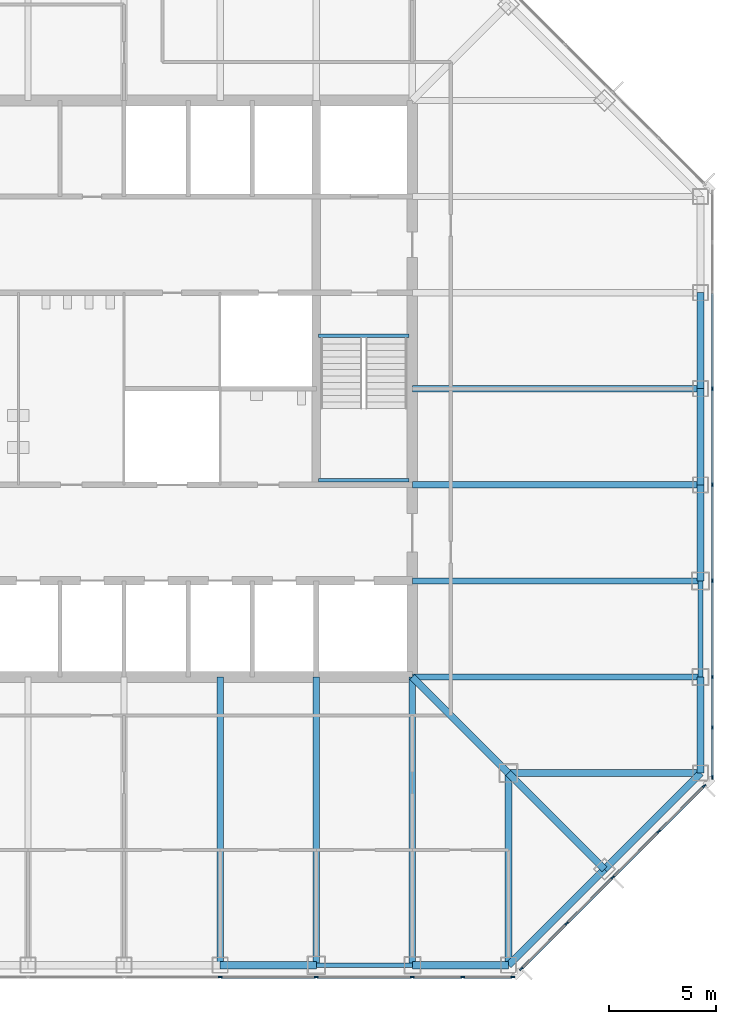
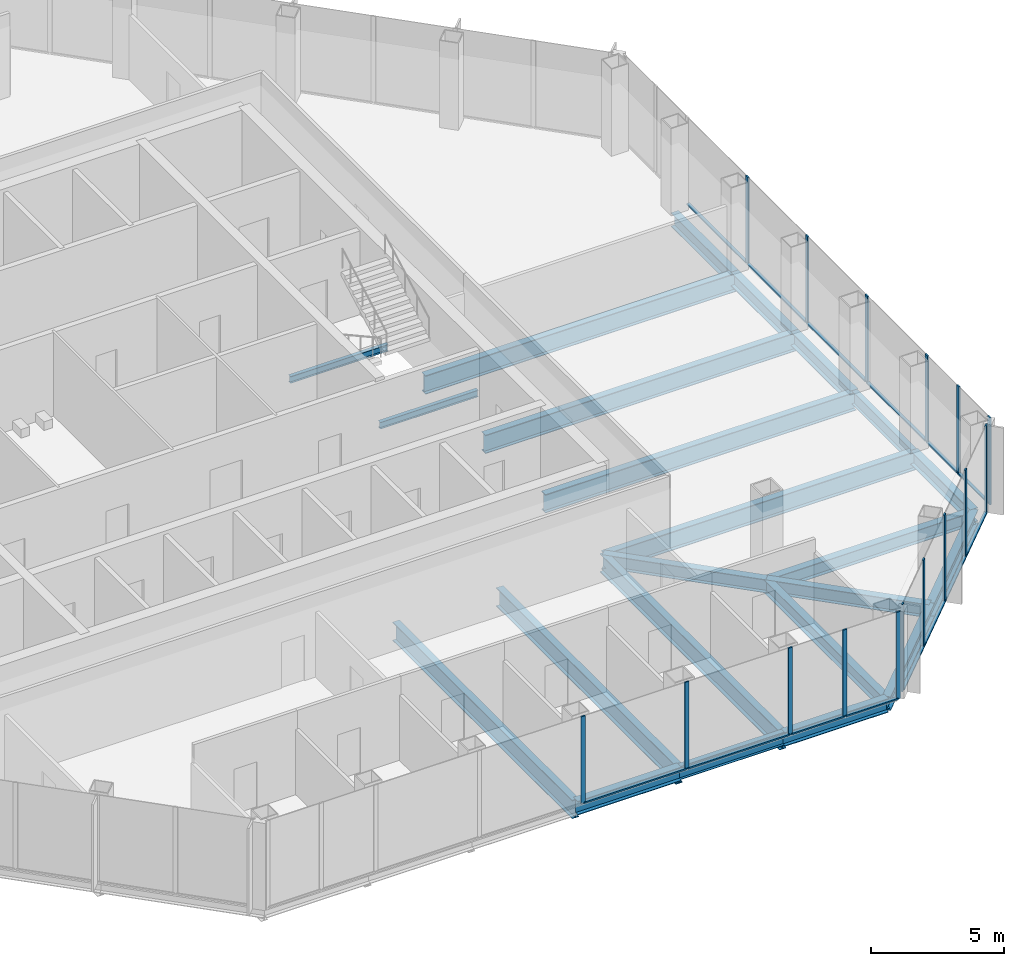
# One storey, part 4 of 12: 30 members, 23 beams, 3 elements without a shape of their own.
"""IFC4 building model written with IfcOpenShell, lengths in metres."""

from ifc_helpers import new_model, si_unit, direction, frame, origin, origin_2d, place, context, subcontext, project, spatial, rectangle, i_section, extrude, material, material_profile, profile_set, type_object, element, aggregate, save


model = new_model("IFC4")

# Units and contexts
model_context = context("Model", 3, precision=1e-05, world=origin(), true_north=direction((0.0, 1.0)))
body_context = subcontext(model_context, "Body", "Model", "MODEL_VIEW")
ifc_project = project(units=[si_unit("LENGTHUNIT", "METRE"), si_unit("AREAUNIT", "SQUARE_METRE"), si_unit("VOLUMEUNIT", "CUBIC_METRE"), si_unit("PLANEANGLEUNIT", "RADIAN"), si_unit("MASSUNIT", "GRAM", prefix="KILO")], contexts=[model_context])

# Site, building, storey
site_placement = place(None, origin())
site = spatial("IfcSite", under=ifc_project, at=site_placement, CompositionType="ELEMENT")
building_placement = place(site_placement, origin())
building = spatial("IfcBuilding", under=site, at=building_placement, Name="Corais Broadcast Tower", CompositionType="ELEMENT")
storey_placement = place(building_placement, frame((0.0, 0.0, 147.60009765625)))
storey = spatial("IfcBuildingStorey", under=building, at=storey_placement, Name="L33", CompositionType="ELEMENT", Elevation=147.60009765625)

# Beams
ifc_material_1 = material(Name="Steel ASTM A572 Grade 50", Category="steel")
ifc_material_profile_1 = material_profile(ifc_material_1, i_section(OverallWidth=0.323974609375, OverallDepth=0.611083984375, WebThickness=0.0126953125, FlangeThickness=0.01904296875, at=origin_2d()), Name="W610x155")
ifc_profile_set_1 = profile_set([ifc_material_profile_1], Name="Steel ASTM A572 Grade 50")
beam_type_1 = type_object("IfcBeamType", Name="Chamfer tie W610x155", PredefinedType="BEAM", material=ifc_profile_set_1)
beam_1_placement = place(storey_placement, frame((49.5, 4.5, -0.465576171875), z_axis=(-0.707106781187, 0.707106781187, 0.0), x_axis=(-0.707106781187, -0.707106781187, 0.0)))
element("IfcBeam", 1, at=beam_1_placement, inside=storey, type_object=beam_type_1, Name="B5 B/14 to C/13", PredefinedType="BEAM", context=body_context, shape_type="SweptSolid", body=[
    extrude(i_section(OverallWidth=0.323974609375, OverallDepth=0.611083984375, WebThickness=0.0126953125, FlangeThickness=0.01904296875, at=origin_2d()), origin(), (0.0, 0.0, 1.0), 6.364013671875),
])
ifc_material_2 = material(Name="Steel ASTM A572 Grade 50", Category="steel")
ifc_material_profile_2 = material_profile(ifc_material_2, i_section(OverallWidth=0.323974609375, OverallDepth=0.611083984375, WebThickness=0.0126953125, FlangeThickness=0.01904296875, at=origin_2d()), Name="W610x155")
ifc_profile_set_2 = profile_set([ifc_material_profile_2], Name="Steel ASTM A572 Grade 50")
beam_type_2 = type_object("IfcBeamType", Name="Corner diagonal W610x155", PredefinedType="BEAM", material=ifc_profile_set_2)
beam_2_placement = place(storey_placement, frame((45.0, 9.0, -0.465576171875), z_axis=(-0.707106781187, 0.707106781187, 0.0), x_axis=(-0.707106781187, -0.707106781187, 0.0)))
element("IfcBeam", 2, at=beam_2_placement, inside=storey, type_object=beam_type_2, Name="B6 C/13 to D/12", PredefinedType="BEAM", context=body_context, shape_type="SweptSolid", body=[
    extrude(i_section(OverallWidth=0.323974609375, OverallDepth=0.611083984375, WebThickness=0.0126953125, FlangeThickness=0.01904296875, at=origin_2d()), origin(), (0.0, 0.0, 1.0), 6.364013671875),
])
ifc_material_3 = material(Name="Steel ASTM A572 Grade 50", Category="steel")
ifc_material_profile_3 = material_profile(ifc_material_3, i_section(OverallWidth=0.323974609375, OverallDepth=0.611083984375, WebThickness=0.0126953125, FlangeThickness=0.01904296875, at=origin_2d()), Name="W610x155")
ifc_profile_set_3 = profile_set([ifc_material_profile_3], Name="Steel ASTM A572 Grade 50")
beam_type_3 = type_object("IfcBeamType", Name="Corner girder W610x155", PredefinedType="BEAM", material=ifc_profile_set_3)
for number, where, z_axis, x_axis, name in (
    (3, (45.0, 0.0, -0.465576171875), (0.0, 1.0, 0.0), (-1.0, 0.0, 0.0), "B4 A/13 to C/13"),
    (4, (54.0, 9.0, -0.465576171875), (-1.0, 0.0, 0.0), (0.0, -1.0, 0.0), "B4 C/15 to C/13"),
):
    element("IfcBeam", number, at=place(storey_placement, frame(where, z_axis=z_axis, x_axis=x_axis)), inside=storey, type_object=beam_type_3, Name=name, PredefinedType="BEAM", context=body_context, shape_type="SweptSolid", body=[
        extrude(i_section(OverallWidth=0.323974609375, OverallDepth=0.611083984375, WebThickness=0.0126953125, FlangeThickness=0.01904296875, at=origin_2d()), origin(), (0.0, 0.0, 1.0), 9.0),
    ])
ifc_material_4 = material(Name="Steel ASTM A572 Grade 50", Category="steel")
ifc_material_profile_4 = material_profile(ifc_material_4, i_section(OverallWidth=0.2939453125, OverallDepth=0.85107421875, WebThickness=0.01611328125, FlangeThickness=0.02685546875, at=origin_2d()), Name="W840x226")
ifc_profile_set_4 = profile_set([ifc_material_profile_4], Name="Steel ASTM A572 Grade 50")
beam_type_4 = type_object("IfcBeamType", Name="Floor beam W840x226", PredefinedType="BEAM", material=ifc_profile_set_4)
for number, where, z_axis, x_axis, name in (
    (5, (31.5, 0.0, -0.585693359375), (0.0, 1.0, 0.0), (-1.0, 0.0, 0.0), "B1 A/10 to D/10"),
    (6, (36.0, 0.0, -0.585693359375), (0.0, 1.0, 0.0), (-1.0, 0.0, 0.0), "B1 A/11 to D/11"),
    (7, (40.5, 0.0, -0.585693359375), (0.0, 1.0, 0.0), (-1.0, 0.0, 0.0), "B1 A/12 to D/12"),
    (8, (54.0, 13.5, -0.585693359375), (-1.0, 0.0, 0.0), (0.0, -1.0, 0.0), "B1 D/15 to D/12"),
    (9, (54.0, 18.0, -0.585693359375), (-1.0, 0.0, 0.0), (0.0, -1.0, 0.0), "B1 E/15 to E/12"),
    (10, (54.0, 22.5, -0.585693359375), (-1.0, 0.0, 0.0), (0.0, -1.0, 0.0), "B1 F/15 to F/12"),
    (11, (54.0, 27.0, -0.585693359375), (-1.0, 0.0, 0.0), (0.0, -1.0, 0.0), "B1 G/15 to G/12"),
):
    element("IfcBeam", number, at=place(storey_placement, frame(where, z_axis=z_axis, x_axis=x_axis)), inside=storey, type_object=beam_type_4, Name=name, PredefinedType="BEAM", context=body_context, shape_type="SweptSolid", body=[
        extrude(i_section(OverallWidth=0.2939453125, OverallDepth=0.85107421875, WebThickness=0.01611328125, FlangeThickness=0.02685546875, at=origin_2d()), origin(), (0.0, 0.0, 1.0), 13.5),
    ])
ifc_material_5 = material(Name="Steel ASTM A572 Grade 50", Category="steel")
ifc_material_profile_5 = material_profile(ifc_material_5, i_section(OverallWidth=0.1650390625, OverallDepth=0.31005859375, WebThickness=0.005859375, FlangeThickness=0.009765625, at=origin_2d()), Name="W310x38.7")
ifc_profile_set_5 = profile_set([ifc_material_profile_5], Name="Steel ASTM A572 Grade 50")
beam_type_5 = type_object("IfcBeamType", Name="Landing trimmer W310x38.7", PredefinedType="BEAM", material=ifc_profile_set_5)
for number, where, z_axis, x_axis, name in (
    (12, (36.10009765625, 29.47509765625, -0.35498046875), (1.0, 0.0, 0.0), (0.0, 1.0, 0.0), "LT1 stair B landing trimmer L33"),
    (13, (36.10009765625, 22.715087890625, 1.64501953125), (1.0, 0.0, 0.0), (0.0, 1.0, 0.0), "LT1 stair B half landing trimmer L33"),
):
    element("IfcBeam", number, at=place(storey_placement, frame(where, z_axis=z_axis, x_axis=x_axis)), inside=storey, type_object=beam_type_5, Name=name, PredefinedType="BEAM", context=body_context, shape_type="SweptSolid", body=[
        extrude(i_section(OverallWidth=0.1650390625, OverallDepth=0.31005859375, WebThickness=0.005859375, FlangeThickness=0.009765625, at=origin_2d()), origin(), (0.0, 0.0, 1.0), 4.25),
    ])

# Curtain wall, members
ifc_material_6 = material(Name="Aluminium and glass", Category="aluminium")
curtain_wall_type = type_object("IfcCurtainWallType", Name="Unitised fritted curtain wall CW2", PredefinedType="NOTDEFINED", material=ifc_material_6)
curtain_wall_1_placement = place(storey_placement, origin())
curtain_wall_1 = element("IfcCurtainWall", 14, at=curtain_wall_1_placement, inside=storey, type_object=curtain_wall_type, Name="CW2 curtain wall L33 6", PredefinedType="NOTDEFINED")
ifc_material_7 = material(Name="Aluminium 6063-T6", Category="aluminium")
ifc_material_profile_6 = material_profile(ifc_material_7, rectangle(XDim=0.06494140625, YDim=0.179931640625, at=origin_2d()), Name="Mullion CW2 65x180")
ifc_profile_set_6 = profile_set([ifc_material_profile_6], Name="Aluminium 6063-T6")
member_type_1 = type_object("IfcMemberType", Name="Mullion CW2 65x180", PredefinedType="MULLION", material=ifc_profile_set_6)
member_1_placement = place(storey_placement, frame((54.550048828125, 27.0, 0.0), z_axis=(0.0, 0.0, 1.0), x_axis=(1.0, 0.0, 0.0)))
member_1 = element("IfcMember", 15, at=member_1_placement, type_object=member_type_1, Name="CW2 mullion 4", PredefinedType="MULLION", context=body_context, shape_type="SweptSolid", body=[
    extrude(rectangle(XDim=0.06494140625, YDim=0.179931640625, at=origin_2d()), origin(), (0.0, 0.0, 1.0), 4.0),
])
member_2_placement = place(storey_placement, frame((54.550048828125, 22.5, 0.0), z_axis=(0.0, 0.0, 1.0), x_axis=(1.0, 0.0, 0.0)))
member_2 = element("IfcMember", 16, at=member_2_placement, type_object=member_type_1, Name="CW2 mullion 5", PredefinedType="MULLION", context=body_context, shape_type="SweptSolid", body=[
    extrude(rectangle(XDim=0.06494140625, YDim=0.179931640625, at=origin_2d()), origin(), (0.0, 0.0, 1.0), 4.0),
])
member_3_placement = place(storey_placement, frame((54.550048828125, 18.0, 0.0), z_axis=(0.0, 0.0, 1.0), x_axis=(1.0, 0.0, 0.0)))
member_3 = element("IfcMember", 17, at=member_3_placement, type_object=member_type_1, Name="CW2 mullion 6", PredefinedType="MULLION", context=body_context, shape_type="SweptSolid", body=[
    extrude(rectangle(XDim=0.06494140625, YDim=0.179931640625, at=origin_2d()), origin(), (0.0, 0.0, 1.0), 4.0),
])
member_4_placement = place(storey_placement, frame((54.550048828125, 13.5, 0.0), z_axis=(0.0, 0.0, 1.0), x_axis=(1.0, 0.0, 0.0)))
member_4 = element("IfcMember", 18, at=member_4_placement, type_object=member_type_1, Name="CW2 mullion 7", PredefinedType="MULLION", context=body_context, shape_type="SweptSolid", body=[
    extrude(rectangle(XDim=0.06494140625, YDim=0.179931640625, at=origin_2d()), origin(), (0.0, 0.0, 1.0), 4.0),
])
member_5_placement = place(storey_placement, frame((54.550048828125, 11.135986328125, 0.0), z_axis=(0.0, 0.0, 1.0), x_axis=(1.0, 0.0, 0.0)))
member_5 = element("IfcMember", 19, at=member_5_placement, type_object=member_type_1, Name="CW2 mullion 8", PredefinedType="MULLION", context=body_context, shape_type="SweptSolid", body=[
    extrude(rectangle(XDim=0.06494140625, YDim=0.179931640625, at=origin_2d()), origin(), (0.0, 0.0, 1.0), 4.0),
])
member_6_placement = place(storey_placement, frame((54.550048828125, 8.8046875, 0.0), z_axis=(0.0, 0.0, 1.0), x_axis=(1.0, 0.0, 0.0)))
member_6 = element("IfcMember", 20, at=member_6_placement, type_object=member_type_1, Name="CW2 mullion 9", PredefinedType="MULLION", context=body_context, shape_type="SweptSolid", body=[
    extrude(rectangle(XDim=0.06494140625, YDim=0.179931640625, at=origin_2d()), origin(), (0.0, 0.0, 1.0), 4.0),
])

curtain_wall_2_placement = place(storey_placement, origin())
curtain_wall_2 = element("IfcCurtainWall", 21, at=curtain_wall_2_placement, inside=storey, type_object=curtain_wall_type, Name="CW2 curtain wall L33 7", PredefinedType="NOTDEFINED")
member_7_placement = place(storey_placement, frame((54.17333984375, 8.3955078125, 0.0), z_axis=(0.0, 0.0, 1.0), x_axis=(0.707106781187, -0.707106781187, 0.0)))
member_7 = element("IfcMember", 22, at=member_7_placement, type_object=member_type_1, Name="CW2 mullion 1", PredefinedType="MULLION", context=body_context, shape_type="SweptSolid", body=[
    extrude(rectangle(XDim=0.06494140625, YDim=0.179931640625, at=origin_2d()), origin(), (0.0, 0.0, 1.0), 4.0),
])
member_8_placement = place(storey_placement, frame((52.042724609375, 6.264892578125, 0.0), z_axis=(0.0, 0.0, 1.0), x_axis=(0.707106781187, -0.707106781187, 0.0)))
member_8 = element("IfcMember", 23, at=member_8_placement, type_object=member_type_1, Name="CW2 mullion 2", PredefinedType="MULLION", context=body_context, shape_type="SweptSolid", body=[
    extrude(rectangle(XDim=0.06494140625, YDim=0.179931640625, at=origin_2d()), origin(), (0.0, 0.0, 1.0), 4.0),
])
member_9_placement = place(storey_placement, frame((49.888916015625, 4.111083984375, 0.0), z_axis=(0.0, 0.0, 1.0), x_axis=(0.707106781187, -0.707106781187, 0.0)))
member_9 = element("IfcMember", 24, at=member_9_placement, type_object=member_type_1, Name="CW2 mullion 3", PredefinedType="MULLION", context=body_context, shape_type="SweptSolid", body=[
    extrude(rectangle(XDim=0.06494140625, YDim=0.179931640625, at=origin_2d()), origin(), (0.0, 0.0, 1.0), 4.0),
])
member_10_placement = place(storey_placement, frame((47.735107421875, 1.957275390625, 0.0), z_axis=(0.0, 0.0, 1.0), x_axis=(0.707106781187, -0.707106781187, 0.0)))
member_10 = element("IfcMember", 25, at=member_10_placement, type_object=member_type_1, Name="CW2 mullion 4", PredefinedType="MULLION", context=body_context, shape_type="SweptSolid", body=[
    extrude(rectangle(XDim=0.06494140625, YDim=0.179931640625, at=origin_2d()), origin(), (0.0, 0.0, 1.0), 4.0),
])
member_11_placement = place(storey_placement, frame((45.6044921875, -0.17333984375, 0.0), z_axis=(0.0, 0.0, 1.0), x_axis=(0.707106781187, -0.707106781187, 0.0)))
member_11 = element("IfcMember", 26, at=member_11_placement, type_object=member_type_1, Name="CW2 mullion 5", PredefinedType="MULLION", context=body_context, shape_type="SweptSolid", body=[
    extrude(rectangle(XDim=0.06494140625, YDim=0.179931640625, at=origin_2d()), origin(), (0.0, 0.0, 1.0), 4.0),
])

curtain_wall_3_placement = place(storey_placement, origin())
curtain_wall_3 = element("IfcCurtainWall", 27, at=curtain_wall_3_placement, inside=storey, type_object=curtain_wall_type, Name="CW2 curtain wall L33 8", PredefinedType="NOTDEFINED")
member_12_placement = place(storey_placement, frame((45.1953125, -0.550048828125, 0.0), z_axis=(0.0, 0.0, 1.0), x_axis=(0.0, -1.0, 0.0)))
member_12 = element("IfcMember", 28, at=member_12_placement, type_object=member_type_1, Name="CW2 mullion 1", PredefinedType="MULLION", context=body_context, shape_type="SweptSolid", body=[
    extrude(rectangle(XDim=0.06494140625, YDim=0.179931640625, at=origin_2d()), origin(), (0.0, 0.0, 1.0), 4.0),
])
member_13_placement = place(storey_placement, frame((42.864013671875, -0.550048828125, 0.0), z_axis=(0.0, 0.0, 1.0), x_axis=(0.0, -1.0, 0.0)))
member_13 = element("IfcMember", 29, at=member_13_placement, type_object=member_type_1, Name="CW2 mullion 2", PredefinedType="MULLION", context=body_context, shape_type="SweptSolid", body=[
    extrude(rectangle(XDim=0.06494140625, YDim=0.179931640625, at=origin_2d()), origin(), (0.0, 0.0, 1.0), 4.0),
])
member_14_placement = place(storey_placement, frame((40.5, -0.550048828125, 0.0), z_axis=(0.0, 0.0, 1.0), x_axis=(0.0, -1.0, 0.0)))
member_14 = element("IfcMember", 30, at=member_14_placement, type_object=member_type_1, Name="CW2 mullion 3", PredefinedType="MULLION", context=body_context, shape_type="SweptSolid", body=[
    extrude(rectangle(XDim=0.06494140625, YDim=0.179931640625, at=origin_2d()), origin(), (0.0, 0.0, 1.0), 4.0),
])
member_15_placement = place(storey_placement, frame((36.0, -0.550048828125, 0.0), z_axis=(0.0, 0.0, 1.0), x_axis=(0.0, -1.0, 0.0)))
member_15 = element("IfcMember", 31, at=member_15_placement, type_object=member_type_1, Name="CW2 mullion 4", PredefinedType="MULLION", context=body_context, shape_type="SweptSolid", body=[
    extrude(rectangle(XDim=0.06494140625, YDim=0.179931640625, at=origin_2d()), origin(), (0.0, 0.0, 1.0), 4.0),
])
member_16_placement = place(storey_placement, frame((31.5, -0.550048828125, 0.0), z_axis=(0.0, 0.0, 1.0), x_axis=(0.0, -1.0, 0.0)))
member_16 = element("IfcMember", 32, at=member_16_placement, type_object=member_type_1, Name="CW2 mullion 5", PredefinedType="MULLION", context=body_context, shape_type="SweptSolid", body=[
    extrude(rectangle(XDim=0.06494140625, YDim=0.179931640625, at=origin_2d()), origin(), (0.0, 0.0, 1.0), 4.0),
])

# Beams
ifc_material_8 = material(Name="Steel ASTM A572 Grade 50", Category="steel")
ifc_material_profile_7 = material_profile(ifc_material_8, i_section(OverallWidth=0.22900390625, OverallDepth=0.612060546875, WebThickness=0.011962890625, FlangeThickness=0.01953125, at=origin_2d()), Name="W610x125")
ifc_profile_set_7 = profile_set([ifc_material_profile_7], Name="Steel ASTM A572 Grade 50")
beam_type_6 = type_object("IfcBeamType", Name="Pinned spandrel W610x125", PredefinedType="BEAM", material=ifc_profile_set_7)
for number, where, z_axis, x_axis, name in (
    (33, (36.0, 0.0, -0.466064453125), (1.0, 0.0, 0.0), (0.0, 1.0, 0.0), "SB7 A/11 to A/12"),
    (34, (54.0, 13.5, -0.466064453125), (0.0, 1.0, 0.0), (-1.0, 0.0, 0.0), "SB7 D/15 to E/15"),
):
    element("IfcBeam", number, at=place(storey_placement, frame(where, z_axis=z_axis, x_axis=x_axis)), inside=storey, type_object=beam_type_6, Name=name, PredefinedType="BEAM", context=body_context, shape_type="SweptSolid", body=[
        extrude(i_section(OverallWidth=0.22900390625, OverallDepth=0.612060546875, WebThickness=0.011962890625, FlangeThickness=0.01953125, at=origin_2d()), origin(), (0.0, 0.0, 1.0), 4.5),
    ])
ifc_material_9 = material(Name="Steel ASTM A572 Grade 50", Category="steel")
ifc_material_profile_8 = material_profile(ifc_material_9, i_section(OverallWidth=0.3291015625, OverallDepth=0.635009765625, WebThickness=0.017822265625, FlangeThickness=0.031005859375, at=origin_2d()), Name="W610x241")
ifc_profile_set_8 = profile_set([ifc_material_profile_8], Name="Steel ASTM A572 Grade 50")
beam_type_7 = type_object("IfcBeamType", Name="Spandrel W610x241", PredefinedType="BEAM", material=ifc_profile_set_8)
for number, where, z_axis, x_axis, name in (
    (35, (31.5, 0.0, -0.4775390625), (1.0, 0.0, 0.0), (0.0, 1.0, 0.0), "SB1 A/10 to A/11"),
    (36, (40.5, 0.0, -0.4775390625), (1.0, 0.0, 0.0), (0.0, 1.0, 0.0), "SB1 A/12 to A/13"),
):
    element("IfcBeam", number, at=place(storey_placement, frame(where, z_axis=z_axis, x_axis=x_axis)), inside=storey, type_object=beam_type_7, Name=name, PredefinedType="BEAM", context=body_context, shape_type="SweptSolid", body=[
        extrude(i_section(OverallWidth=0.3291015625, OverallDepth=0.635009765625, WebThickness=0.017822265625, FlangeThickness=0.031005859375, at=origin_2d()), origin(), (0.0, 0.0, 1.0), 4.5),
    ])
for number, where, z_axis, x_axis, name in (
    (37, (45.0, 0.0, -0.4775390625), (0.707106781187, 0.707106781187, 0.0), (-0.707106781187, 0.707106781187, 0.0), "SB1 A/13 to B/14"),
    (38, (49.5, 4.5, -0.4775390625), (0.707106781187, 0.707106781187, 0.0), (-0.707106781187, 0.707106781187, 0.0), "SB1 B/14 to C/15"),
):
    element("IfcBeam", number, at=place(storey_placement, frame(where, z_axis=z_axis, x_axis=x_axis)), inside=storey, type_object=beam_type_7, Name=name, PredefinedType="BEAM", context=body_context, shape_type="SweptSolid", body=[
        extrude(i_section(OverallWidth=0.3291015625, OverallDepth=0.635009765625, WebThickness=0.017822265625, FlangeThickness=0.031005859375, at=origin_2d()), origin(), (0.0, 0.0, 1.0), 6.364013671875),
    ])
for number, where, z_axis, x_axis, name in (
    (39, (54.0, 18.0, -0.4775390625), (0.0, 1.0, 0.0), (-1.0, 0.0, 0.0), "SB1 E/15 to F/15"),
    (40, (54.0, 22.5, -0.4775390625), (0.0, 1.0, 0.0), (-1.0, 0.0, 0.0), "SB1 F/15 to G/15"),
    (41, (54.0, 27.0, -0.4775390625), (0.0, 1.0, 0.0), (-1.0, 0.0, 0.0), "SB1 G/15 to H/15"),
    (42, (54.0, 9.0, -0.4775390625), (0.0, 1.0, 0.0), (-1.0, 0.0, 0.0), "SB1 C/15 to D/15"),
):
    element("IfcBeam", number, at=place(storey_placement, frame(where, z_axis=z_axis, x_axis=x_axis)), inside=storey, type_object=beam_type_7, Name=name, PredefinedType="BEAM", context=body_context, shape_type="SweptSolid", body=[
        extrude(i_section(OverallWidth=0.3291015625, OverallDepth=0.635009765625, WebThickness=0.017822265625, FlangeThickness=0.031005859375, at=origin_2d()), origin(), (0.0, 0.0, 1.0), 4.5),
    ])

# Member
ifc_material_10 = material(Name="Aluminium 6063-T6", Category="aluminium")
ifc_material_profile_9 = material_profile(ifc_material_10, rectangle(XDim=0.1298828125, YDim=0.06494140625, at=origin_2d()), Name="Transom CW2 65x130")
ifc_profile_set_9 = profile_set([ifc_material_profile_9], Name="Aluminium 6063-T6")
member_type_2 = type_object("IfcMemberType", Name="Transom CW2 65x130", PredefinedType="USERDEFINED", material=ifc_profile_set_9)
member_17_placement = place(storey_placement, frame((54.550048828125, 31.467529296875, 0.032470703125), z_axis=(0.0, -1.0, 0.0), x_axis=(1.0, 0.0, 0.0)))
member_17 = element("IfcMember", 43, at=member_17_placement, type_object=member_type_2, Name="CW2 transom 3.1", ObjectType="TRANSOM", PredefinedType="USERDEFINED", context=body_context, shape_type="SweptSolid", body=[
    extrude(rectangle(XDim=0.1298828125, YDim=0.06494140625, at=origin_2d()), origin(), (0.0, 0.0, 1.0), 4.43505859375),
])

member_18_placement = place(storey_placement, frame((54.550048828125, 26.967529296875, 0.032470703125), z_axis=(0.0, -1.0, 0.0), x_axis=(1.0, 0.0, 0.0)))
member_18 = element("IfcMember", 44, at=member_18_placement, type_object=member_type_2, Name="CW2 transom 4.1", ObjectType="TRANSOM", PredefinedType="USERDEFINED", context=body_context, shape_type="SweptSolid", body=[
    extrude(rectangle(XDim=0.1298828125, YDim=0.06494140625, at=origin_2d()), origin(), (0.0, 0.0, 1.0), 4.43505859375),
])

member_19_placement = place(storey_placement, frame((54.550048828125, 22.467529296875, 0.032470703125), z_axis=(0.0, -1.0, 0.0), x_axis=(1.0, 0.0, 0.0)))
member_19 = element("IfcMember", 45, at=member_19_placement, type_object=member_type_2, Name="CW2 transom 5.1", ObjectType="TRANSOM", PredefinedType="USERDEFINED", context=body_context, shape_type="SweptSolid", body=[
    extrude(rectangle(XDim=0.1298828125, YDim=0.06494140625, at=origin_2d()), origin(), (0.0, 0.0, 1.0), 4.43505859375),
])

member_20_placement = place(storey_placement, frame((54.550048828125, 17.967529296875, 0.032470703125), z_axis=(0.0, -1.0, 0.0), x_axis=(1.0, 0.0, 0.0)))
member_20 = element("IfcMember", 46, at=member_20_placement, type_object=member_type_2, Name="CW2 transom 6.1", ObjectType="TRANSOM", PredefinedType="USERDEFINED", context=body_context, shape_type="SweptSolid", body=[
    extrude(rectangle(XDim=0.1298828125, YDim=0.06494140625, at=origin_2d()), origin(), (0.0, 0.0, 1.0), 4.43505859375),
])

member_21_placement = place(storey_placement, frame((54.550048828125, 13.467529296875, 0.032470703125), z_axis=(0.0, -1.0, 0.0), x_axis=(1.0, 0.0, 0.0)))
member_21 = element("IfcMember", 47, at=member_21_placement, type_object=member_type_2, Name="CW2 transom 7.1", ObjectType="TRANSOM", PredefinedType="USERDEFINED", context=body_context, shape_type="SweptSolid", body=[
    extrude(rectangle(XDim=0.1298828125, YDim=0.06494140625, at=origin_2d()), origin(), (0.0, 0.0, 1.0), 2.298828125),
])

member_22_placement = place(storey_placement, frame((54.550048828125, 11.103515625, 0.032470703125), z_axis=(0.0, -1.0, 0.0), x_axis=(1.0, 0.0, 0.0)))
member_22 = element("IfcMember", 48, at=member_22_placement, type_object=member_type_2, Name="CW2 transom 8.1", ObjectType="TRANSOM", PredefinedType="USERDEFINED", context=body_context, shape_type="SweptSolid", body=[
    extrude(rectangle(XDim=0.1298828125, YDim=0.06494140625, at=origin_2d()), origin(), (0.0, 0.0, 1.0), 2.266357421875),
])

aggregate(curtain_wall_1, [member_1, member_2, member_3, member_4, member_5, member_6, member_17, member_18, member_19, member_20, member_21, member_22])

member_23_placement = place(storey_placement, frame((54.150390625, 8.37255859375, 0.032470703125), z_axis=(-0.707106781187, -0.707106781187, 0.0), x_axis=(0.707106781187, -0.707106781187, 0.0)))
member_23 = element("IfcMember", 49, at=member_23_placement, type_object=member_type_2, Name="CW2 transom 1.1", ObjectType="TRANSOM", PredefinedType="USERDEFINED", context=body_context, shape_type="SweptSolid", body=[
    extrude(rectangle(XDim=0.1298828125, YDim=0.06494140625, at=origin_2d()), origin(), (0.0, 0.0, 1.0), 2.9482421875),
])

member_24_placement = place(storey_placement, frame((52.019775390625, 6.241943359375, 0.032470703125), z_axis=(-0.707106781187, -0.707106781187, 0.0), x_axis=(0.707106781187, -0.707106781187, 0.0)))
member_24 = element("IfcMember", 50, at=member_24_placement, type_object=member_type_2, Name="CW2 transom 2.1", ObjectType="TRANSOM", PredefinedType="USERDEFINED", context=body_context, shape_type="SweptSolid", body=[
    extrude(rectangle(XDim=0.1298828125, YDim=0.06494140625, at=origin_2d()), origin(), (0.0, 0.0, 1.0), 2.98095703125),
])

member_25_placement = place(storey_placement, frame((49.865966796875, 4.088134765625, 0.032470703125), z_axis=(-0.707106781187, -0.707106781187, 0.0), x_axis=(0.707106781187, -0.707106781187, 0.0)))
member_25 = element("IfcMember", 51, at=member_25_placement, type_object=member_type_2, Name="CW2 transom 3.1", ObjectType="TRANSOM", PredefinedType="USERDEFINED", context=body_context, shape_type="SweptSolid", body=[
    extrude(rectangle(XDim=0.1298828125, YDim=0.06494140625, at=origin_2d()), origin(), (0.0, 0.0, 1.0), 2.98095703125),
])

member_26_placement = place(storey_placement, frame((47.712158203125, 1.934326171875, 0.032470703125), z_axis=(-0.707106781187, -0.707106781187, 0.0), x_axis=(0.707106781187, -0.707106781187, 0.0)))
member_26 = element("IfcMember", 52, at=member_26_placement, type_object=member_type_2, Name="CW2 transom 4.1", ObjectType="TRANSOM", PredefinedType="USERDEFINED", context=body_context, shape_type="SweptSolid", body=[
    extrude(rectangle(XDim=0.1298828125, YDim=0.06494140625, at=origin_2d()), origin(), (0.0, 0.0, 1.0), 2.9482421875),
])

aggregate(curtain_wall_2, [member_7, member_8, member_9, member_10, member_11, member_23, member_24, member_25, member_26])

member_27_placement = place(storey_placement, frame((45.162841796875, -0.550048828125, 0.032470703125), z_axis=(-1.0, 0.0, 0.0), x_axis=(0.0, -1.0, 0.0)))
member_27 = element("IfcMember", 53, at=member_27_placement, type_object=member_type_2, Name="CW2 transom 1.1", ObjectType="TRANSOM", PredefinedType="USERDEFINED", context=body_context, shape_type="SweptSolid", body=[
    extrude(rectangle(XDim=0.1298828125, YDim=0.06494140625, at=origin_2d()), origin(), (0.0, 0.0, 1.0), 2.266357421875),
])

member_28_placement = place(storey_placement, frame((42.831298828125, -0.550048828125, 0.032470703125), z_axis=(-1.0, 0.0, 0.0), x_axis=(0.0, -1.0, 0.0)))
member_28 = element("IfcMember", 54, at=member_28_placement, type_object=member_type_2, Name="CW2 transom 2.1", ObjectType="TRANSOM", PredefinedType="USERDEFINED", context=body_context, shape_type="SweptSolid", body=[
    extrude(rectangle(XDim=0.1298828125, YDim=0.06494140625, at=origin_2d()), origin(), (0.0, 0.0, 1.0), 2.298828125),
])

member_29_placement = place(storey_placement, frame((40.467529296875, -0.550048828125, 0.032470703125), z_axis=(-1.0, 0.0, 0.0), x_axis=(0.0, -1.0, 0.0)))
member_29 = element("IfcMember", 55, at=member_29_placement, type_object=member_type_2, Name="CW2 transom 3.1", ObjectType="TRANSOM", PredefinedType="USERDEFINED", context=body_context, shape_type="SweptSolid", body=[
    extrude(rectangle(XDim=0.1298828125, YDim=0.06494140625, at=origin_2d()), origin(), (0.0, 0.0, 1.0), 4.43505859375),
])

member_30_placement = place(storey_placement, frame((35.967529296875, -0.550048828125, 0.032470703125), z_axis=(-1.0, 0.0, 0.0), x_axis=(0.0, -1.0, 0.0)))
member_30 = element("IfcMember", 56, at=member_30_placement, type_object=member_type_2, Name="CW2 transom 4.1", ObjectType="TRANSOM", PredefinedType="USERDEFINED", context=body_context, shape_type="SweptSolid", body=[
    extrude(rectangle(XDim=0.1298828125, YDim=0.06494140625, at=origin_2d()), origin(), (0.0, 0.0, 1.0), 4.43505859375),
])

aggregate(curtain_wall_3, [member_12, member_13, member_14, member_15, member_16, member_27, member_28, member_29, member_30])

save(model, "model.ifc")
